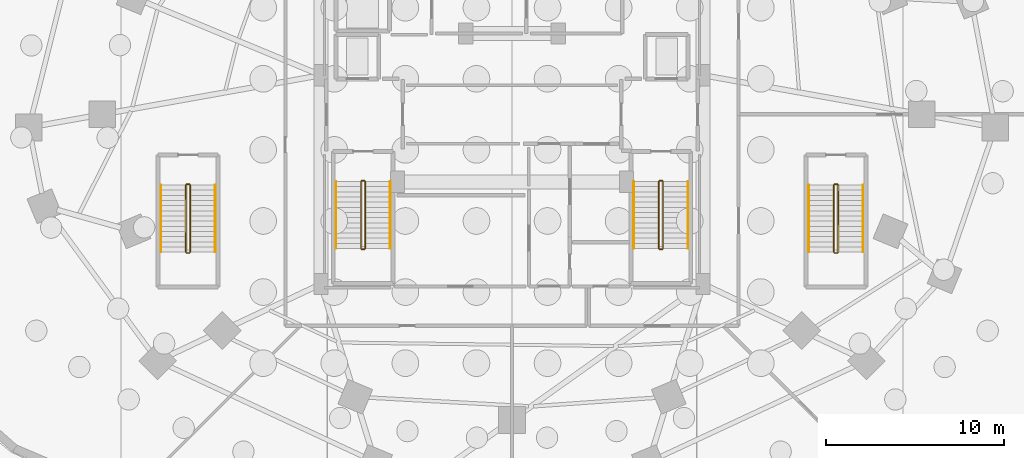
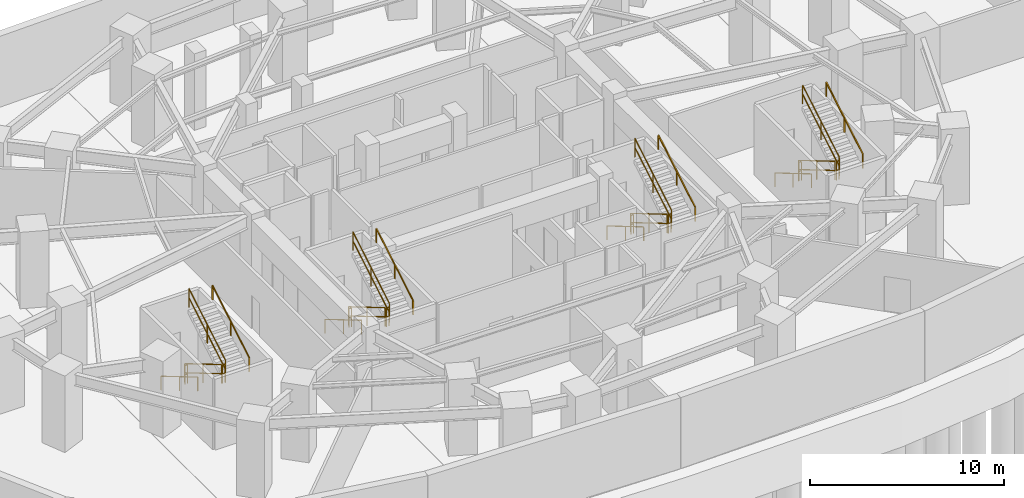
# One storey, part 8 of 9: 24 railings.
"""IFC4 building model written with IfcOpenShell, lengths in metres."""

import ifcopenshell
import ifcopenshell.guid

model = None  # the IFC model being written
_history = None  # IfcOwnerHistory: only IFC2X3 demands one
_inside = {}  # id of a spatial element -> (the spatial element, [elements in it])
_under = {}  # id of a project, library or spatial element -> (it, [spatial elements below it])
_declared = {}  # id of a project -> (the project, [libraries it declares])
_typed = {}  # id of a type object -> (the type object, [elements of that type])
_made_of = {}  # id of a material, layer set ... -> (it, [elements and type objects made of it])


def new_model(schema):
    """Start an empty IFC model of exactly this schema.

    Asked for "IFC4X3", IfcOpenShell would pick the latest addendum, in which some entities
    have other attributes; the version numbers below select the first issue.
    IFC2X3 requires an IfcOwnerHistory on every rooted entity: one is made here for all.
    """
    global model, _history
    if schema == "IFC4X3":
        model = ifcopenshell.file(schema_version=(4, 3, 0, 0))
    else:
        model = ifcopenshell.file(schema=schema)
    _inside.clear()
    _under.clear()
    _declared.clear()
    _typed.clear()
    _made_of.clear()
    _history = None
    if model.schema == "IFC2X3":
        org = make("IfcOrganization", Name="unknown")
        user = make(
            "IfcPersonAndOrganization",
            ThePerson=make("IfcPerson", FamilyName="unknown"),
            TheOrganization=org,
        )
        app = make(
            "IfcApplication",
            ApplicationDeveloper=org,
            Version="unknown",
            ApplicationFullName="unknown",
            ApplicationIdentifier="unknown",
        )
        _history = make(
            "IfcOwnerHistory",
            OwningUser=user,
            OwningApplication=app,
            ChangeAction="ADDED",
            CreationDate=0,
        )
    return model


def make(cls, **values):
    """One entity of the class cls with the attributes given. An attribute that is None is left unset."""
    return model.create_entity(
        cls, **{name: value for name, value in values.items() if value is not None}
    )


def rooted(cls, **values):
    """An entity with a GlobalId (a new one), such as an element, a storey or a relation."""
    return make(cls, GlobalId=ifcopenshell.guid.new(), OwnerHistory=_history, **values)


def si_unit(unit_type, name, prefix=None):
    """IfcSIUnit, for example si_unit("LENGTHUNIT", "METRE", prefix="MILLI")."""
    return make("IfcSIUnit", UnitType=unit_type, Prefix=prefix, Name=name)


def assignment(units):
    """IfcUnitAssignment: the units of a project."""
    return None if units is None else make("IfcUnitAssignment", Units=units)


def point(xyz):
    """IfcCartesianPoint."""
    return None if xyz is None else make("IfcCartesianPoint", Coordinates=xyz)


def direction(xyz):
    """IfcDirection."""
    return None if xyz is None else make("IfcDirection", DirectionRatios=xyz)


def frame(location, z_axis=None, x_axis=None):
    """IfcAxis2Placement3D, a coordinate frame: its origin and axes. An axis left out is left unset."""
    return make(
        "IfcAxis2Placement3D",
        Location=point(location),
        Axis=direction(z_axis),
        RefDirection=direction(x_axis),
    )


def frame_2d(location, x_axis=None):
    """IfcAxis2Placement2D, a coordinate frame in the plane: its origin and x axis."""
    return make(
        "IfcAxis2Placement2D", Location=point(location), RefDirection=direction(x_axis)
    )


def origin():
    """The frame at (0, 0, 0) with its axes left unset."""
    return frame((0.0, 0.0, 0.0))


def origin_2d():
    """The frame at (0, 0) in the plane with its x axis left unset."""
    return frame_2d((0.0, 0.0))


def place(relative_to, where):
    """IfcLocalPlacement: puts the frame where relative to a parent placement (None: the world)."""
    return make(
        "IfcLocalPlacement", PlacementRelTo=relative_to, RelativePlacement=where
    )


def context(
    kind, dimensions, precision=None, world=None, true_north=None, identifier=None
):
    """IfcGeometricRepresentationContext, for example the 3D "Model" context."""
    return make(
        "IfcGeometricRepresentationContext",
        ContextIdentifier=identifier,
        ContextType=kind,
        CoordinateSpaceDimension=dimensions,
        Precision=precision,
        WorldCoordinateSystem=world,
        TrueNorth=true_north,
    )


def subcontext(parent, identifier, kind, view, scale=None):
    """IfcGeometricRepresentationSubContext, for example "Body" below "Model"."""
    return make(
        "IfcGeometricRepresentationSubContext",
        ContextIdentifier=identifier,
        ContextType=kind,
        ParentContext=parent,
        TargetScale=scale,
        TargetView=view,
    )


def project(units=None, contexts=None):
    """IfcProject with its units and contexts."""
    return rooted(
        "IfcProject",
        Name="project",
        RepresentationContexts=contexts,
        UnitsInContext=assignment(units),
    )


def spatial(cls, under=None, at=None, **own):
    """A site, building, storey or space (cls), placed at a placement, below another one or the project."""
    s = rooted(cls, ObjectPlacement=at, **own)
    if under is not None:
        _under.setdefault(under.id(), (under, []))[1].append(s)
    return s


def profile(cls, at=None, kind="AREA", **sizes):
    """A parametric profile (cls). Its sizes go by their IFC names, for example OverallWidth=200.0."""
    return make(cls, ProfileType=kind, Position=at, **sizes)


def rectangle(**sizes):
    """IfcRectangleProfileDef."""
    return profile("IfcRectangleProfileDef", **sizes)


def extrude(swept, where, along, depth):
    """IfcExtrudedAreaSolid: the profile swept, set in the frame where, extruded along a direction by depth."""
    return make(
        "IfcExtrudedAreaSolid",
        SweptArea=swept,
        Position=where,
        ExtrudedDirection=direction(along),
        Depth=depth,
    )


def shape(context_of_items, identifier, shape_type, items):
    """IfcShapeRepresentation: the items that make up one representation, for example the "Body"."""
    return make(
        "IfcShapeRepresentation",
        ContextOfItems=context_of_items,
        RepresentationIdentifier=identifier,
        RepresentationType=shape_type,
        Items=items,
    )


def material(Name=None, Category=None):
    """IfcMaterial."""
    return make("IfcMaterial", Name=Name, Category=Category)


def made_of(thing, what):
    """Note that an element or type object is made of a material, layer set ...; save() writes the relation."""
    if what is not None:
        _made_of.setdefault(what.id(), (what, []))[1].append(thing)
    return thing


def type_object(cls, material=None, **own):
    """A type object (cls), such as IfcWallType, which elements share."""
    return made_of(rooted(cls, **own), material)


def element(
    cls,
    number,
    at=None,
    inside=None,
    cuts=None,
    type_object=None,
    material=None,
    context=None,
    identifier="Body",
    shape_type=None,
    held_by="IfcProductDefinitionShape",
    body=None,
    shapes=None,
    **own,
):
    """One element of the class cls, such as IfcWall. Its Tag is "e" and its number.

    at: its placement. inside: the storey or other place that contains it. cuts: it is an
    opening in that element (IfcRelVoidsElement). A single representation is given by context,
    identifier, shape_type and body (its items); several are given by shapes. held_by: the class
    of the entity that holds the representations. save() writes the other relations.
    """
    e = rooted(cls, Tag="e%d" % number, ObjectPlacement=at, **own)
    if body is not None:
        shapes = [shape(context, identifier, shape_type, body)]
    if shapes is not None:
        e.Representation = make(held_by, Representations=shapes)
    if inside is not None:
        _inside.setdefault(inside.id(), (inside, []))[1].append(e)
    if cuts is not None:
        rooted(
            "IfcRelVoidsElement", RelatingBuildingElement=cuts, RelatedOpeningElement=e
        )
    if type_object is not None:
        _typed.setdefault(type_object.id(), (type_object, []))[1].append(e)
    return made_of(e, material)


def aggregate(whole, parts):
    """IfcRelAggregates: a whole, such as a stair, and the parts it consists of."""
    return rooted("IfcRelAggregates", RelatingObject=whole, RelatedObjects=parts)


def save(model, path):
    """Write the relations noted so far, then the file.

    IfcRelAggregates (storeys below a building ...), IfcRelContainedInSpatialStructure (elements
    in a storey), IfcRelDefinesByType, IfcRelAssociatesMaterial and IfcRelDeclares: one each for
    every whole, place, type object, material and project.
    """
    for whole, parts in _under.values():
        aggregate(whole, parts)
    for where, things in _inside.values():
        rooted(
            "IfcRelContainedInSpatialStructure",
            RelatedElements=things,
            RelatingStructure=where,
        )
    for kind, things in _typed.values():
        rooted("IfcRelDefinesByType", RelatedObjects=things, RelatingType=kind)
    for what, things in _made_of.values():
        rooted("IfcRelAssociatesMaterial", RelatedObjects=things, RelatingMaterial=what)
    for by, libraries in _declared.values():
        rooted("IfcRelDeclares", RelatingContext=by, RelatedDefinitions=libraries)
    model.write(path)


model = new_model("IFC4")

# Units and contexts
model_context = context("Model", 3, precision=1e-05, world=origin(), true_north=direction((0.0, 1.0)))
body_context = subcontext(model_context, "Body", "Model", "MODEL_VIEW")
ifc_project = project(units=[si_unit("LENGTHUNIT", "METRE"), si_unit("AREAUNIT", "SQUARE_METRE"), si_unit("VOLUMEUNIT", "CUBIC_METRE"), si_unit("PLANEANGLEUNIT", "RADIAN"), si_unit("MASSUNIT", "GRAM", prefix="KILO")], contexts=[model_context])

# Site, building, storey
site_placement = place(None, origin())
site = spatial("IfcSite", under=ifc_project, at=site_placement, CompositionType="ELEMENT")
building_placement = place(site_placement, origin())
building = spatial("IfcBuilding", under=site, at=building_placement, Name="Vorneva Point Tower", CompositionType="ELEMENT")
storey_placement = place(building_placement, frame((0.0, 0.0, -9.60009765625)))
storey = spatial("IfcBuildingStorey", under=building, at=storey_placement, Name="B02", CompositionType="ELEMENT", Elevation=-9.60009765625)

# Railings
ifc_material = material(Name="Brushed stainless steel S304", Category="steel")
railing_type_1 = type_object("IfcRailingType", Name="RL-HND-920", PredefinedType="HANDRAIL", material=ifc_material)
railing_1_placement = place(storey_placement, frame((28.10009765625, 22.219970703125, 0.171630859375)))
element("IfcRailing", 1, at=railing_1_placement, inside=storey, type_object=railing_type_1, Name="B02 ST1 stair handrail 1", PredefinedType="HANDRAIL", context=body_context, shape_type="SweptSolid", body=[
    extrude(rectangle(XDim=0.048095703125, YDim=0.048095703125, at=origin_2d()), frame((0.0, 0.0, 0.8759765625), z_axis=(0.0, -0.860848830602, 0.508860777473), x_axis=(1.0, 0.0, 0.0)), (0.0, 0.0, 1.0), 4.37939453125),
    extrude(rectangle(XDim=0.0419921875, YDim=0.0419921875, at=origin_2d()), origin(), (0.0, 0.0, 1.0), 0.851806640625),
    extrude(rectangle(XDim=0.0419921875, YDim=0.0419921875, at=origin_2d()), frame((0.0, -1.885009765625, 1.1142578125)), (0.0, 0.0, 1.0), 0.851806640625),
    extrude(rectangle(XDim=0.0419921875, YDim=0.0419921875, at=origin_2d()), frame((0.0, -3.77001953125, 2.228515625)), (0.0, 0.0, 1.0), 0.851806640625),
])
railing_2_placement = place(storey_placement, frame((31.14990234375, 18.449951171875, 2.571533203125)))
element("IfcRailing", 2, at=railing_2_placement, inside=storey, type_object=railing_type_1, Name="B02 ST1 stair handrail 2", PredefinedType="HANDRAIL", context=body_context, shape_type="SweptSolid", body=[
    extrude(rectangle(XDim=0.048095703125, YDim=0.048095703125, at=origin_2d()), frame((0.0, 0.0, 0.8759765625), z_axis=(0.0, 0.860848830602, 0.508860777473), x_axis=(-1.0, 0.0, 0.0)), (0.0, 0.0, 1.0), 4.37939453125),
    extrude(rectangle(XDim=0.0419921875, YDim=0.0419921875, at=origin_2d()), origin(), (0.0, 0.0, 1.0), 0.851806640625),
    extrude(rectangle(XDim=0.0419921875, YDim=0.0419921875, at=origin_2d()), frame((0.0, 1.885009765625, 1.1142578125)), (0.0, 0.0, 1.0), 0.851806640625),
    extrude(rectangle(XDim=0.0419921875, YDim=0.0419921875, at=origin_2d()), frame((0.0, 3.77001953125, 2.228515625)), (0.0, 0.0, 1.0), 0.851806640625),
])
railing_3_placement = place(storey_placement, frame((44.85009765625, 22.219970703125, 0.171630859375)))
element("IfcRailing", 3, at=railing_3_placement, inside=storey, type_object=railing_type_1, Name="B02 ST2 stair handrail 1", PredefinedType="HANDRAIL", context=body_context, shape_type="SweptSolid", body=[
    extrude(rectangle(XDim=0.048095703125, YDim=0.048095703125, at=origin_2d()), frame((0.0, 0.0, 0.8759765625), z_axis=(0.0, -0.860848830602, 0.508860777473), x_axis=(1.0, 0.0, 0.0)), (0.0, 0.0, 1.0), 4.37939453125),
    extrude(rectangle(XDim=0.0419921875, YDim=0.0419921875, at=origin_2d()), origin(), (0.0, 0.0, 1.0), 0.851806640625),
    extrude(rectangle(XDim=0.0419921875, YDim=0.0419921875, at=origin_2d()), frame((0.0, -1.885009765625, 1.1142578125)), (0.0, 0.0, 1.0), 0.851806640625),
    extrude(rectangle(XDim=0.0419921875, YDim=0.0419921875, at=origin_2d()), frame((0.0, -3.77001953125, 2.228515625)), (0.0, 0.0, 1.0), 0.851806640625),
])
railing_4_placement = place(storey_placement, frame((47.89990234375, 18.449951171875, 2.571533203125)))
element("IfcRailing", 4, at=railing_4_placement, inside=storey, type_object=railing_type_1, Name="B02 ST2 stair handrail 2", PredefinedType="HANDRAIL", context=body_context, shape_type="SweptSolid", body=[
    extrude(rectangle(XDim=0.048095703125, YDim=0.048095703125, at=origin_2d()), frame((0.0, 0.0, 0.8759765625), z_axis=(0.0, 0.860848830602, 0.508860777473), x_axis=(-1.0, 0.0, 0.0)), (0.0, 0.0, 1.0), 4.37939453125),
    extrude(rectangle(XDim=0.0419921875, YDim=0.0419921875, at=origin_2d()), origin(), (0.0, 0.0, 1.0), 0.851806640625),
    extrude(rectangle(XDim=0.0419921875, YDim=0.0419921875, at=origin_2d()), frame((0.0, 1.885009765625, 1.1142578125)), (0.0, 0.0, 1.0), 0.851806640625),
    extrude(rectangle(XDim=0.0419921875, YDim=0.0419921875, at=origin_2d()), frame((0.0, 3.77001953125, 2.228515625)), (0.0, 0.0, 1.0), 0.851806640625),
])
railing_5_placement = place(storey_placement, frame((18.25, 22.02001953125, 0.171630859375)))
element("IfcRailing", 5, at=railing_5_placement, inside=storey, type_object=railing_type_1, Name="B02 ST3 stair handrail 1", PredefinedType="HANDRAIL", context=body_context, shape_type="SweptSolid", body=[
    extrude(rectangle(XDim=0.048095703125, YDim=0.048095703125, at=origin_2d()), frame((0.0, 0.0, 0.8759765625), z_axis=(0.0, -0.860848830602, 0.508860777473), x_axis=(1.0, 0.0, 0.0)), (0.0, 0.0, 1.0), 4.37939453125),
    extrude(rectangle(XDim=0.0419921875, YDim=0.0419921875, at=origin_2d()), origin(), (0.0, 0.0, 1.0), 0.851806640625),
    extrude(rectangle(XDim=0.0419921875, YDim=0.0419921875, at=origin_2d()), frame((0.0, -1.885009765625, 1.1142578125)), (0.0, 0.0, 1.0), 0.851806640625),
    extrude(rectangle(XDim=0.0419921875, YDim=0.0419921875, at=origin_2d()), frame((0.0, -3.77001953125, 2.228515625)), (0.0, 0.0, 1.0), 0.851806640625),
])
railing_6_placement = place(storey_placement, frame((21.300048828125, 18.25, 2.571533203125)))
element("IfcRailing", 6, at=railing_6_placement, inside=storey, type_object=railing_type_1, Name="B02 ST3 stair handrail 2", PredefinedType="HANDRAIL", context=body_context, shape_type="SweptSolid", body=[
    extrude(rectangle(XDim=0.048095703125, YDim=0.048095703125, at=origin_2d()), frame((0.0, 0.0, 0.8759765625), z_axis=(0.0, 0.860848830602, 0.508860777473), x_axis=(-1.0, 0.0, 0.0)), (0.0, 0.0, 1.0), 4.37939453125),
    extrude(rectangle(XDim=0.0419921875, YDim=0.0419921875, at=origin_2d()), origin(), (0.0, 0.0, 1.0), 0.851806640625),
    extrude(rectangle(XDim=0.0419921875, YDim=0.0419921875, at=origin_2d()), frame((0.0, 1.885009765625, 1.1142578125)), (0.0, 0.0, 1.0), 0.851806640625),
    extrude(rectangle(XDim=0.0419921875, YDim=0.0419921875, at=origin_2d()), frame((0.0, 3.77001953125, 2.228515625)), (0.0, 0.0, 1.0), 0.851806640625),
])
railing_7_placement = place(storey_placement, frame((54.699951171875, 22.02001953125, 0.171630859375)))
element("IfcRailing", 7, at=railing_7_placement, inside=storey, type_object=railing_type_1, Name="B02 ST4 stair handrail 1", PredefinedType="HANDRAIL", context=body_context, shape_type="SweptSolid", body=[
    extrude(rectangle(XDim=0.048095703125, YDim=0.048095703125, at=origin_2d()), frame((0.0, 0.0, 0.8759765625), z_axis=(0.0, -0.860848830602, 0.508860777473), x_axis=(1.0, 0.0, 0.0)), (0.0, 0.0, 1.0), 4.37939453125),
    extrude(rectangle(XDim=0.0419921875, YDim=0.0419921875, at=origin_2d()), origin(), (0.0, 0.0, 1.0), 0.851806640625),
    extrude(rectangle(XDim=0.0419921875, YDim=0.0419921875, at=origin_2d()), frame((0.0, -1.885009765625, 1.1142578125)), (0.0, 0.0, 1.0), 0.851806640625),
    extrude(rectangle(XDim=0.0419921875, YDim=0.0419921875, at=origin_2d()), frame((0.0, -3.77001953125, 2.228515625)), (0.0, 0.0, 1.0), 0.851806640625),
])
railing_8_placement = place(storey_placement, frame((57.75, 18.25, 2.571533203125)))
element("IfcRailing", 8, at=railing_8_placement, inside=storey, type_object=railing_type_1, Name="B02 ST4 stair handrail 2", PredefinedType="HANDRAIL", context=body_context, shape_type="SweptSolid", body=[
    extrude(rectangle(XDim=0.048095703125, YDim=0.048095703125, at=origin_2d()), frame((0.0, 0.0, 0.8759765625), z_axis=(0.0, 0.860848830602, 0.508860777473), x_axis=(-1.0, 0.0, 0.0)), (0.0, 0.0, 1.0), 4.37939453125),
    extrude(rectangle(XDim=0.0419921875, YDim=0.0419921875, at=origin_2d()), origin(), (0.0, 0.0, 1.0), 0.851806640625),
    extrude(rectangle(XDim=0.0419921875, YDim=0.0419921875, at=origin_2d()), frame((0.0, 1.885009765625, 1.1142578125)), (0.0, 0.0, 1.0), 0.851806640625),
    extrude(rectangle(XDim=0.0419921875, YDim=0.0419921875, at=origin_2d()), frame((0.0, 3.77001953125, 2.228515625)), (0.0, 0.0, 1.0), 0.851806640625),
])
railing_type_2 = type_object("IfcRailingType", Name="RL-STG-1100", PredefinedType="GUARDRAIL", material=ifc_material)
railing_9_placement = place(storey_placement, frame((29.5, 22.219970703125, 0.171630859375)))
element("IfcRailing", 9, at=railing_9_placement, inside=storey, type_object=railing_type_2, Name="B02 ST1 stair guard 1", PredefinedType="GUARDRAIL", context=body_context, shape_type="SweptSolid", body=[
    extrude(rectangle(XDim=0.048095703125, YDim=0.048095703125, at=origin_2d()), frame((0.0, 0.0, 1.17578125), z_axis=(0.0, -0.860848830602, 0.508860777473), x_axis=(1.0, 0.0, 0.0)), (0.0, 0.0, 1.0), 4.37939453125),
    extrude(rectangle(XDim=0.048095703125, YDim=0.048095703125, at=origin_2d()), frame((0.0, 0.0, 0.60009765625), z_axis=(0.0, -0.860848830602, 0.508860777473), x_axis=(1.0, 0.0, 0.0)), (0.0, 0.0, 1.0), 4.37939453125),
    extrude(rectangle(XDim=0.0419921875, YDim=0.0419921875, at=origin_2d()), origin(), (0.0, 0.0, 1.0), 1.15185546875),
    extrude(rectangle(XDim=0.0419921875, YDim=0.0419921875, at=origin_2d()), frame((0.0, -1.885009765625, 1.1142578125)), (0.0, 0.0, 1.0), 1.15185546875),
    extrude(rectangle(XDim=0.0419921875, YDim=0.0419921875, at=origin_2d()), frame((0.0, -3.77001953125, 2.228515625)), (0.0, 0.0, 1.0), 1.15185546875),
])
railing_10_placement = place(storey_placement, frame((29.550048828125, 18.39990234375, 2.400146484375)))
element("IfcRailing", 10, at=railing_10_placement, inside=storey, type_object=railing_type_2, Name="B02 ST1 stair guard 2", PredefinedType="GUARDRAIL", context=body_context, shape_type="SweptSolid", body=[
    extrude(rectangle(XDim=0.048095703125, YDim=0.048095703125, at=origin_2d()), frame((0.0, 0.0, 1.17578125), z_axis=(1.0, 0.0, 0.0), x_axis=(0.0, 1.0, 0.0)), (0.0, 0.0, 1.0), 0.14990234375),
    extrude(rectangle(XDim=0.048095703125, YDim=0.048095703125, at=origin_2d()), frame((0.0, 0.0, 0.60009765625), z_axis=(1.0, 0.0, 0.0), x_axis=(0.0, 1.0, 0.0)), (0.0, 0.0, 1.0), 0.14990234375),
    extrude(rectangle(XDim=0.0419921875, YDim=0.0419921875, at=origin_2d()), origin(), (0.0, 0.0, 1.0), 1.15185546875),
    extrude(rectangle(XDim=0.0419921875, YDim=0.0419921875, at=origin_2d()), frame((0.14990234375, 0.0, 0.0)), (0.0, 0.0, 1.0), 1.15185546875),
])
railing_11_placement = place(storey_placement, frame((29.75, 18.449951171875, 2.571533203125)))
element("IfcRailing", 11, at=railing_11_placement, inside=storey, type_object=railing_type_2, Name="B02 ST1 stair guard 3", PredefinedType="GUARDRAIL", context=body_context, shape_type="SweptSolid", body=[
    extrude(rectangle(XDim=0.048095703125, YDim=0.048095703125, at=origin_2d()), frame((0.0, 0.0, 1.17578125), z_axis=(0.0, 0.860848830602, 0.508860777473), x_axis=(-1.0, 0.0, 0.0)), (0.0, 0.0, 1.0), 4.37939453125),
    extrude(rectangle(XDim=0.048095703125, YDim=0.048095703125, at=origin_2d()), frame((0.0, 0.0, 0.60009765625), z_axis=(0.0, 0.860848830602, 0.508860777473), x_axis=(-1.0, 0.0, 0.0)), (0.0, 0.0, 1.0), 4.37939453125),
    extrude(rectangle(XDim=0.0419921875, YDim=0.0419921875, at=origin_2d()), origin(), (0.0, 0.0, 1.0), 1.15185546875),
    extrude(rectangle(XDim=0.0419921875, YDim=0.0419921875, at=origin_2d()), frame((0.0, 1.885009765625, 1.1142578125)), (0.0, 0.0, 1.0), 1.15185546875),
    extrude(rectangle(XDim=0.0419921875, YDim=0.0419921875, at=origin_2d()), frame((0.0, 3.77001953125, 2.228515625)), (0.0, 0.0, 1.0), 1.15185546875),
])
railing_12_placement = place(storey_placement, frame((29.550048828125, 22.27001953125, 0.0)))
element("IfcRailing", 12, at=railing_12_placement, inside=storey, type_object=railing_type_2, Name="B02 ST1 stair guard 4", PredefinedType="GUARDRAIL", context=body_context, shape_type="SweptSolid", body=[
    extrude(rectangle(XDim=0.048095703125, YDim=0.048095703125, at=origin_2d()), frame((0.0, 0.0, 1.17578125), z_axis=(1.0, 0.0, 0.0), x_axis=(0.0, 1.0, 0.0)), (0.0, 0.0, 1.0), 0.14990234375),
    extrude(rectangle(XDim=0.048095703125, YDim=0.048095703125, at=origin_2d()), frame((0.0, 0.0, 0.60009765625), z_axis=(1.0, 0.0, 0.0), x_axis=(0.0, 1.0, 0.0)), (0.0, 0.0, 1.0), 0.14990234375),
    extrude(rectangle(XDim=0.0419921875, YDim=0.0419921875, at=origin_2d()), origin(), (0.0, 0.0, 1.0), 1.15185546875),
    extrude(rectangle(XDim=0.0419921875, YDim=0.0419921875, at=origin_2d()), frame((0.14990234375, 0.0, 0.0)), (0.0, 0.0, 1.0), 1.15185546875),
])
railing_13_placement = place(storey_placement, frame((46.25, 22.219970703125, 0.171630859375)))
element("IfcRailing", 13, at=railing_13_placement, inside=storey, type_object=railing_type_2, Name="B02 ST2 stair guard 1", PredefinedType="GUARDRAIL", context=body_context, shape_type="SweptSolid", body=[
    extrude(rectangle(XDim=0.048095703125, YDim=0.048095703125, at=origin_2d()), frame((0.0, 0.0, 1.17578125), z_axis=(0.0, -0.860848830602, 0.508860777473), x_axis=(1.0, 0.0, 0.0)), (0.0, 0.0, 1.0), 4.37939453125),
    extrude(rectangle(XDim=0.048095703125, YDim=0.048095703125, at=origin_2d()), frame((0.0, 0.0, 0.60009765625), z_axis=(0.0, -0.860848830602, 0.508860777473), x_axis=(1.0, 0.0, 0.0)), (0.0, 0.0, 1.0), 4.37939453125),
    extrude(rectangle(XDim=0.0419921875, YDim=0.0419921875, at=origin_2d()), origin(), (0.0, 0.0, 1.0), 1.15185546875),
    extrude(rectangle(XDim=0.0419921875, YDim=0.0419921875, at=origin_2d()), frame((0.0, -1.885009765625, 1.1142578125)), (0.0, 0.0, 1.0), 1.15185546875),
    extrude(rectangle(XDim=0.0419921875, YDim=0.0419921875, at=origin_2d()), frame((0.0, -3.77001953125, 2.228515625)), (0.0, 0.0, 1.0), 1.15185546875),
])
railing_14_placement = place(storey_placement, frame((46.300048828125, 18.39990234375, 2.400146484375)))
element("IfcRailing", 14, at=railing_14_placement, inside=storey, type_object=railing_type_2, Name="B02 ST2 stair guard 2", PredefinedType="GUARDRAIL", context=body_context, shape_type="SweptSolid", body=[
    extrude(rectangle(XDim=0.048095703125, YDim=0.048095703125, at=origin_2d()), frame((0.0, 0.0, 1.17578125), z_axis=(1.0, 0.0, 0.0), x_axis=(0.0, 1.0, 0.0)), (0.0, 0.0, 1.0), 0.14990234375),
    extrude(rectangle(XDim=0.048095703125, YDim=0.048095703125, at=origin_2d()), frame((0.0, 0.0, 0.60009765625), z_axis=(1.0, 0.0, 0.0), x_axis=(0.0, 1.0, 0.0)), (0.0, 0.0, 1.0), 0.14990234375),
    extrude(rectangle(XDim=0.0419921875, YDim=0.0419921875, at=origin_2d()), origin(), (0.0, 0.0, 1.0), 1.15185546875),
    extrude(rectangle(XDim=0.0419921875, YDim=0.0419921875, at=origin_2d()), frame((0.14990234375, 0.0, 0.0)), (0.0, 0.0, 1.0), 1.15185546875),
])
railing_15_placement = place(storey_placement, frame((46.5, 18.449951171875, 2.571533203125)))
element("IfcRailing", 15, at=railing_15_placement, inside=storey, type_object=railing_type_2, Name="B02 ST2 stair guard 3", PredefinedType="GUARDRAIL", context=body_context, shape_type="SweptSolid", body=[
    extrude(rectangle(XDim=0.048095703125, YDim=0.048095703125, at=origin_2d()), frame((0.0, 0.0, 1.17578125), z_axis=(0.0, 0.860848830602, 0.508860777473), x_axis=(-1.0, 0.0, 0.0)), (0.0, 0.0, 1.0), 4.37939453125),
    extrude(rectangle(XDim=0.048095703125, YDim=0.048095703125, at=origin_2d()), frame((0.0, 0.0, 0.60009765625), z_axis=(0.0, 0.860848830602, 0.508860777473), x_axis=(-1.0, 0.0, 0.0)), (0.0, 0.0, 1.0), 4.37939453125),
    extrude(rectangle(XDim=0.0419921875, YDim=0.0419921875, at=origin_2d()), origin(), (0.0, 0.0, 1.0), 1.15185546875),
    extrude(rectangle(XDim=0.0419921875, YDim=0.0419921875, at=origin_2d()), frame((0.0, 1.885009765625, 1.1142578125)), (0.0, 0.0, 1.0), 1.15185546875),
    extrude(rectangle(XDim=0.0419921875, YDim=0.0419921875, at=origin_2d()), frame((0.0, 3.77001953125, 2.228515625)), (0.0, 0.0, 1.0), 1.15185546875),
])
railing_16_placement = place(storey_placement, frame((46.300048828125, 22.27001953125, 0.0)))
element("IfcRailing", 16, at=railing_16_placement, inside=storey, type_object=railing_type_2, Name="B02 ST2 stair guard 4", PredefinedType="GUARDRAIL", context=body_context, shape_type="SweptSolid", body=[
    extrude(rectangle(XDim=0.048095703125, YDim=0.048095703125, at=origin_2d()), frame((0.0, 0.0, 1.17578125), z_axis=(1.0, 0.0, 0.0), x_axis=(0.0, 1.0, 0.0)), (0.0, 0.0, 1.0), 0.14990234375),
    extrude(rectangle(XDim=0.048095703125, YDim=0.048095703125, at=origin_2d()), frame((0.0, 0.0, 0.60009765625), z_axis=(1.0, 0.0, 0.0), x_axis=(0.0, 1.0, 0.0)), (0.0, 0.0, 1.0), 0.14990234375),
    extrude(rectangle(XDim=0.0419921875, YDim=0.0419921875, at=origin_2d()), origin(), (0.0, 0.0, 1.0), 1.15185546875),
    extrude(rectangle(XDim=0.0419921875, YDim=0.0419921875, at=origin_2d()), frame((0.14990234375, 0.0, 0.0)), (0.0, 0.0, 1.0), 1.15185546875),
])
railing_17_placement = place(storey_placement, frame((19.64990234375, 22.02001953125, 0.171630859375)))
element("IfcRailing", 17, at=railing_17_placement, inside=storey, type_object=railing_type_2, Name="B02 ST3 stair guard 1", PredefinedType="GUARDRAIL", context=body_context, shape_type="SweptSolid", body=[
    extrude(rectangle(XDim=0.048095703125, YDim=0.048095703125, at=origin_2d()), frame((0.0, 0.0, 1.17578125), z_axis=(0.0, -0.860848830602, 0.508860777473), x_axis=(1.0, 0.0, 0.0)), (0.0, 0.0, 1.0), 4.37939453125),
    extrude(rectangle(XDim=0.048095703125, YDim=0.048095703125, at=origin_2d()), frame((0.0, 0.0, 0.60009765625), z_axis=(0.0, -0.860848830602, 0.508860777473), x_axis=(1.0, 0.0, 0.0)), (0.0, 0.0, 1.0), 4.37939453125),
    extrude(rectangle(XDim=0.0419921875, YDim=0.0419921875, at=origin_2d()), origin(), (0.0, 0.0, 1.0), 1.15185546875),
    extrude(rectangle(XDim=0.0419921875, YDim=0.0419921875, at=origin_2d()), frame((0.0, -1.885009765625, 1.1142578125)), (0.0, 0.0, 1.0), 1.15185546875),
    extrude(rectangle(XDim=0.0419921875, YDim=0.0419921875, at=origin_2d()), frame((0.0, -3.77001953125, 2.228515625)), (0.0, 0.0, 1.0), 1.15185546875),
])
railing_18_placement = place(storey_placement, frame((19.699951171875, 18.199951171875, 2.400146484375)))
element("IfcRailing", 18, at=railing_18_placement, inside=storey, type_object=railing_type_2, Name="B02 ST3 stair guard 2", PredefinedType="GUARDRAIL", context=body_context, shape_type="SweptSolid", body=[
    extrude(rectangle(XDim=0.048095703125, YDim=0.048095703125, at=origin_2d()), frame((0.0, 0.0, 1.17578125), z_axis=(1.0, 0.0, 0.0), x_axis=(0.0, 1.0, 0.0)), (0.0, 0.0, 1.0), 0.150146484375),
    extrude(rectangle(XDim=0.048095703125, YDim=0.048095703125, at=origin_2d()), frame((0.0, 0.0, 0.60009765625), z_axis=(1.0, 0.0, 0.0), x_axis=(0.0, 1.0, 0.0)), (0.0, 0.0, 1.0), 0.150146484375),
    extrude(rectangle(XDim=0.0419921875, YDim=0.0419921875, at=origin_2d()), origin(), (0.0, 0.0, 1.0), 1.15185546875),
    extrude(rectangle(XDim=0.0419921875, YDim=0.0419921875, at=origin_2d()), frame((0.150146484375, 0.0, 0.0)), (0.0, 0.0, 1.0), 1.15185546875),
])
railing_19_placement = place(storey_placement, frame((19.89990234375, 18.25, 2.571533203125)))
element("IfcRailing", 19, at=railing_19_placement, inside=storey, type_object=railing_type_2, Name="B02 ST3 stair guard 3", PredefinedType="GUARDRAIL", context=body_context, shape_type="SweptSolid", body=[
    extrude(rectangle(XDim=0.048095703125, YDim=0.048095703125, at=origin_2d()), frame((0.0, 0.0, 1.17578125), z_axis=(0.0, 0.860848830602, 0.508860777473), x_axis=(-1.0, 0.0, 0.0)), (0.0, 0.0, 1.0), 4.37939453125),
    extrude(rectangle(XDim=0.048095703125, YDim=0.048095703125, at=origin_2d()), frame((0.0, 0.0, 0.60009765625), z_axis=(0.0, 0.860848830602, 0.508860777473), x_axis=(-1.0, 0.0, 0.0)), (0.0, 0.0, 1.0), 4.37939453125),
    extrude(rectangle(XDim=0.0419921875, YDim=0.0419921875, at=origin_2d()), origin(), (0.0, 0.0, 1.0), 1.15185546875),
    extrude(rectangle(XDim=0.0419921875, YDim=0.0419921875, at=origin_2d()), frame((0.0, 1.885009765625, 1.1142578125)), (0.0, 0.0, 1.0), 1.15185546875),
    extrude(rectangle(XDim=0.0419921875, YDim=0.0419921875, at=origin_2d()), frame((0.0, 3.77001953125, 2.228515625)), (0.0, 0.0, 1.0), 1.15185546875),
])
railing_20_placement = place(storey_placement, frame((19.699951171875, 22.070068359375, 0.0)))
element("IfcRailing", 20, at=railing_20_placement, inside=storey, type_object=railing_type_2, Name="B02 ST3 stair guard 4", PredefinedType="GUARDRAIL", context=body_context, shape_type="SweptSolid", body=[
    extrude(rectangle(XDim=0.048095703125, YDim=0.048095703125, at=origin_2d()), frame((0.0, 0.0, 1.17578125), z_axis=(1.0, 0.0, 0.0), x_axis=(0.0, 1.0, 0.0)), (0.0, 0.0, 1.0), 0.150146484375),
    extrude(rectangle(XDim=0.048095703125, YDim=0.048095703125, at=origin_2d()), frame((0.0, 0.0, 0.60009765625), z_axis=(1.0, 0.0, 0.0), x_axis=(0.0, 1.0, 0.0)), (0.0, 0.0, 1.0), 0.150146484375),
    extrude(rectangle(XDim=0.0419921875, YDim=0.0419921875, at=origin_2d()), origin(), (0.0, 0.0, 1.0), 1.15185546875),
    extrude(rectangle(XDim=0.0419921875, YDim=0.0419921875, at=origin_2d()), frame((0.150146484375, 0.0, 0.0)), (0.0, 0.0, 1.0), 1.15185546875),
])
railing_21_placement = place(storey_placement, frame((56.10009765625, 22.02001953125, 0.171630859375)))
element("IfcRailing", 21, at=railing_21_placement, inside=storey, type_object=railing_type_2, Name="B02 ST4 stair guard 1", PredefinedType="GUARDRAIL", context=body_context, shape_type="SweptSolid", body=[
    extrude(rectangle(XDim=0.048095703125, YDim=0.048095703125, at=origin_2d()), frame((0.0, 0.0, 1.17578125), z_axis=(0.0, -0.860848830602, 0.508860777473), x_axis=(1.0, 0.0, 0.0)), (0.0, 0.0, 1.0), 4.37939453125),
    extrude(rectangle(XDim=0.048095703125, YDim=0.048095703125, at=origin_2d()), frame((0.0, 0.0, 0.60009765625), z_axis=(0.0, -0.860848830602, 0.508860777473), x_axis=(1.0, 0.0, 0.0)), (0.0, 0.0, 1.0), 4.37939453125),
    extrude(rectangle(XDim=0.0419921875, YDim=0.0419921875, at=origin_2d()), origin(), (0.0, 0.0, 1.0), 1.15185546875),
    extrude(rectangle(XDim=0.0419921875, YDim=0.0419921875, at=origin_2d()), frame((0.0, -1.885009765625, 1.1142578125)), (0.0, 0.0, 1.0), 1.15185546875),
    extrude(rectangle(XDim=0.0419921875, YDim=0.0419921875, at=origin_2d()), frame((0.0, -3.77001953125, 2.228515625)), (0.0, 0.0, 1.0), 1.15185546875),
])
railing_22_placement = place(storey_placement, frame((56.14990234375, 18.199951171875, 2.400146484375)))
element("IfcRailing", 22, at=railing_22_placement, inside=storey, type_object=railing_type_2, Name="B02 ST4 stair guard 2", PredefinedType="GUARDRAIL", context=body_context, shape_type="SweptSolid", body=[
    extrude(rectangle(XDim=0.048095703125, YDim=0.048095703125, at=origin_2d()), frame((0.0, 0.0, 1.17578125), z_axis=(1.0, 0.0, 0.0), x_axis=(0.0, 1.0, 0.0)), (0.0, 0.0, 1.0), 0.150146484375),
    extrude(rectangle(XDim=0.048095703125, YDim=0.048095703125, at=origin_2d()), frame((0.0, 0.0, 0.60009765625), z_axis=(1.0, 0.0, 0.0), x_axis=(0.0, 1.0, 0.0)), (0.0, 0.0, 1.0), 0.150146484375),
    extrude(rectangle(XDim=0.0419921875, YDim=0.0419921875, at=origin_2d()), origin(), (0.0, 0.0, 1.0), 1.15185546875),
    extrude(rectangle(XDim=0.0419921875, YDim=0.0419921875, at=origin_2d()), frame((0.150146484375, 0.0, 0.0)), (0.0, 0.0, 1.0), 1.15185546875),
])
railing_23_placement = place(storey_placement, frame((56.35009765625, 18.25, 2.571533203125)))
element("IfcRailing", 23, at=railing_23_placement, inside=storey, type_object=railing_type_2, Name="B02 ST4 stair guard 3", PredefinedType="GUARDRAIL", context=body_context, shape_type="SweptSolid", body=[
    extrude(rectangle(XDim=0.048095703125, YDim=0.048095703125, at=origin_2d()), frame((0.0, 0.0, 1.17578125), z_axis=(0.0, 0.860848830602, 0.508860777473), x_axis=(-1.0, 0.0, 0.0)), (0.0, 0.0, 1.0), 4.37939453125),
    extrude(rectangle(XDim=0.048095703125, YDim=0.048095703125, at=origin_2d()), frame((0.0, 0.0, 0.60009765625), z_axis=(0.0, 0.860848830602, 0.508860777473), x_axis=(-1.0, 0.0, 0.0)), (0.0, 0.0, 1.0), 4.37939453125),
    extrude(rectangle(XDim=0.0419921875, YDim=0.0419921875, at=origin_2d()), origin(), (0.0, 0.0, 1.0), 1.15185546875),
    extrude(rectangle(XDim=0.0419921875, YDim=0.0419921875, at=origin_2d()), frame((0.0, 1.885009765625, 1.1142578125)), (0.0, 0.0, 1.0), 1.15185546875),
    extrude(rectangle(XDim=0.0419921875, YDim=0.0419921875, at=origin_2d()), frame((0.0, 3.77001953125, 2.228515625)), (0.0, 0.0, 1.0), 1.15185546875),
])
railing_24_placement = place(storey_placement, frame((56.14990234375, 22.070068359375, 0.0)))
element("IfcRailing", 24, at=railing_24_placement, inside=storey, type_object=railing_type_2, Name="B02 ST4 stair guard 4", PredefinedType="GUARDRAIL", context=body_context, shape_type="SweptSolid", body=[
    extrude(rectangle(XDim=0.048095703125, YDim=0.048095703125, at=origin_2d()), frame((0.0, 0.0, 1.17578125), z_axis=(1.0, 0.0, 0.0), x_axis=(0.0, 1.0, 0.0)), (0.0, 0.0, 1.0), 0.150146484375),
    extrude(rectangle(XDim=0.048095703125, YDim=0.048095703125, at=origin_2d()), frame((0.0, 0.0, 0.60009765625), z_axis=(1.0, 0.0, 0.0), x_axis=(0.0, 1.0, 0.0)), (0.0, 0.0, 1.0), 0.150146484375),
    extrude(rectangle(XDim=0.0419921875, YDim=0.0419921875, at=origin_2d()), origin(), (0.0, 0.0, 1.0), 1.15185546875),
    extrude(rectangle(XDim=0.0419921875, YDim=0.0419921875, at=origin_2d()), frame((0.150146484375, 0.0, 0.0)), (0.0, 0.0, 1.0), 1.15185546875),
])

save(model, "model.ifc")
